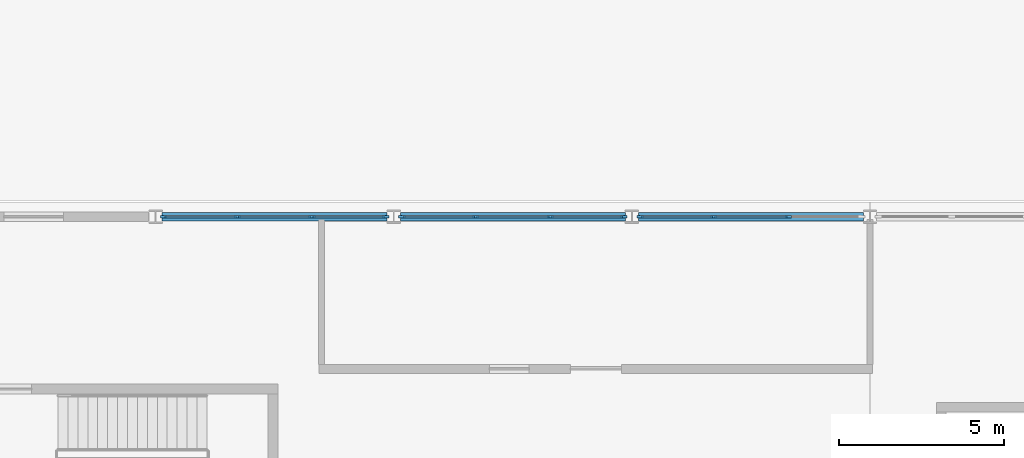
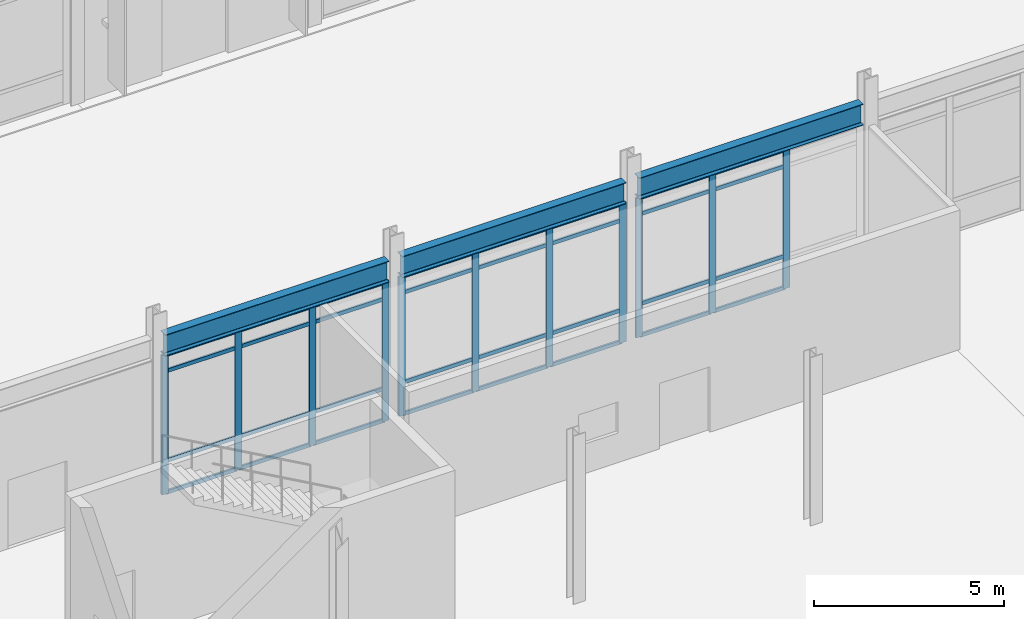
# One storey, part 23 of 104: 43 members, 3 beams, 3 elements without a shape of their own.
"""IFC4 building model written with IfcOpenShell, lengths in metres."""

from ifc_helpers import new_model, si_unit, direction, frame, origin, origin_2d, place, context, subcontext, project, spatial, rectangle, i_section, extrude, material, material_profile, profile_set, type_object, element, aggregate, save


model = new_model("IFC4")

# Units and contexts
model_context = context("Model", 3, precision=1e-05, world=origin(), true_north=direction((0.0, 1.0)))
body_context = subcontext(model_context, "Body", "Model", "MODEL_VIEW")
ifc_project = project(units=[si_unit("LENGTHUNIT", "METRE"), si_unit("AREAUNIT", "SQUARE_METRE"), si_unit("VOLUMEUNIT", "CUBIC_METRE"), si_unit("PLANEANGLEUNIT", "RADIAN"), si_unit("MASSUNIT", "GRAM", prefix="KILO")], contexts=[model_context])

# Site, building, storey
site_placement = place(None, origin())
site = spatial("IfcSite", under=ifc_project, at=site_placement, CompositionType="ELEMENT")
building_placement = place(site_placement, origin())
building = spatial("IfcBuilding", under=site, at=building_placement, Name="Vaelcorin Mobility Hub", CompositionType="ELEMENT")
storey_placement = place(building_placement, origin())
storey = spatial("IfcBuildingStorey", under=building, at=storey_placement, Name="L00", CompositionType="ELEMENT", Elevation=0.0)

# Beams
ifc_material_1 = material(Name="Steel ASTM A992 Grade 50", Category="steel")
ifc_material_profile_1 = material_profile(ifc_material_1, i_section(OverallWidth=0.25390625, OverallDepth=0.68310546875, WebThickness=0.012451171875, FlangeThickness=0.018798828125, FilletRadius=0.01611328125, at=origin_2d()), Name="W27X94")
ifc_profile_set_1 = profile_set([ifc_material_profile_1], Name="Steel ASTM A992 Grade 50")
beam_type = type_object("IfcBeamType", Name="BM-W27X94", PredefinedType="BEAM", material=ifc_profile_set_1)
beam_placement = place(storey_placement, frame((50.60009765625, 60.0, 4.837890625), z_axis=(1.0, 0.0, 0.0), x_axis=(0.0, 1.0, 0.0)))
element("IfcBeam", 1, at=beam_placement, inside=storey, type_object=beam_type, Name="L00 Beam V1-L00-GX-02-03", PredefinedType="BEAM", context=body_context, shape_type="SweptSolid", body=[
    extrude(i_section(OverallWidth=0.25390625, OverallDepth=0.68310546875, WebThickness=0.012451171875, FlangeThickness=0.018798828125, FilletRadius=0.01611328125, at=origin_2d()), origin(), (0.0, 0.0, 1.0), 6.7998046875),
])
for number, where, z_axis, x_axis, name in (
    (2, (57.800048828125, 60.0, 4.837890625), (1.0, 0.0, 0.0), (0.0, 1.0, 0.0), "L00 Beam V1-L00-GX-02-04"),
    (3, (65.0, 60.0, 4.837890625), (1.0, 0.0, 0.0), (0.0, 1.0, 0.0), "L00 Beam V1-L00-GX-02-05"),
):
    element("IfcBeam", number, at=place(storey_placement, frame(where, z_axis=z_axis, x_axis=x_axis)), inside=storey, type_object=beam_type, Name=name, PredefinedType="BEAM", context=body_context, shape_type="SweptSolid", body=[
        extrude(i_section(OverallWidth=0.25390625, OverallDepth=0.68310546875, WebThickness=0.012451171875, FlangeThickness=0.018798828125, FilletRadius=0.01611328125, at=origin_2d()), origin(), (0.0, 0.0, 1.0), 6.800048828125),
    ])

# Curtain wall, members
ifc_material_2 = material(Name="Anodised aluminium 6063-T6", Category="aluminium")
curtain_wall_type = type_object("IfcCurtainWallType", Name="CW-CONC-B", PredefinedType="NOTDEFINED", material=ifc_material_2)
curtain_wall_1_placement = place(storey_placement, origin())
curtain_wall_1 = element("IfcCurtainWall", 4, at=curtain_wall_1_placement, inside=storey, type_object=curtain_wall_type, Name="L00 Curtain Wall CW-V1-N-03", PredefinedType="NOTDEFINED")
ifc_material_profile_2 = material_profile(ifc_material_2, rectangle(XDim=0.070068359375, YDim=0.199951171875, at=origin_2d()), Name="ALU-M70X200")
ifc_profile_set_2 = profile_set([ifc_material_profile_2], Name="Anodised aluminium 6063-T6")
member_type_1 = type_object("IfcMemberType", Name="CW-MULL-200", PredefinedType="MULLION", material=ifc_profile_set_2)
member_1_placement = place(storey_placement, frame((50.64990234375, 60.0, 0.0), z_axis=(0.0, 0.0, 1.0), x_axis=(0.0, 1.0, 0.0)))
member_1 = element("IfcMember", 5, at=member_1_placement, type_object=member_type_1, Name="CW2 mullion 1", PredefinedType="MULLION", context=body_context, shape_type="SweptSolid", body=[
    extrude(rectangle(XDim=0.070068359375, YDim=0.199951171875, at=origin_2d()), origin(), (0.0, 0.0, 1.0), 4.48193359375),
])
member_2_placement = place(storey_placement, frame((52.873291015625, 60.0, 0.0), z_axis=(0.0, 0.0, 1.0), x_axis=(0.0, 1.0, 0.0)))
member_2 = element("IfcMember", 6, at=member_2_placement, type_object=member_type_1, Name="CW2 mullion 2", PredefinedType="MULLION", context=body_context, shape_type="SweptSolid", body=[
    extrude(rectangle(XDim=0.070068359375, YDim=0.199951171875, at=origin_2d()), origin(), (0.0, 0.0, 1.0), 4.48193359375),
])
member_3_placement = place(storey_placement, frame((55.126708984375, 60.0, 0.0), z_axis=(0.0, 0.0, 1.0), x_axis=(0.0, 1.0, 0.0)))
member_3 = element("IfcMember", 7, at=member_3_placement, type_object=member_type_1, Name="CW2 mullion 3", PredefinedType="MULLION", context=body_context, shape_type="SweptSolid", body=[
    extrude(rectangle(XDim=0.070068359375, YDim=0.199951171875, at=origin_2d()), origin(), (0.0, 0.0, 1.0), 4.48193359375),
])
member_4_placement = place(storey_placement, frame((57.35009765625, 60.0, 0.0), z_axis=(0.0, 0.0, 1.0), x_axis=(0.0, 1.0, 0.0)))
member_4 = element("IfcMember", 8, at=member_4_placement, type_object=member_type_1, Name="CW2 mullion 4", PredefinedType="MULLION", context=body_context, shape_type="SweptSolid", body=[
    extrude(rectangle(XDim=0.070068359375, YDim=0.199951171875, at=origin_2d()), origin(), (0.0, 0.0, 1.0), 4.48193359375),
])

curtain_wall_2_placement = place(storey_placement, origin())
curtain_wall_2 = element("IfcCurtainWall", 9, at=curtain_wall_2_placement, inside=storey, type_object=curtain_wall_type, Name="L00 Curtain Wall CW-V1-N-04", PredefinedType="NOTDEFINED")
member_5_placement = place(storey_placement, frame((57.85009765625, 60.0, 0.0), z_axis=(0.0, 0.0, 1.0), x_axis=(0.0, 1.0, 0.0)))
member_5 = element("IfcMember", 10, at=member_5_placement, type_object=member_type_1, Name="CW2 mullion 1", PredefinedType="MULLION", context=body_context, shape_type="SweptSolid", body=[
    extrude(rectangle(XDim=0.070068359375, YDim=0.199951171875, at=origin_2d()), origin(), (0.0, 0.0, 1.0), 4.48193359375),
])
member_6_placement = place(storey_placement, frame((60.0732421875, 60.0, 0.0), z_axis=(0.0, 0.0, 1.0), x_axis=(0.0, 1.0, 0.0)))
member_6 = element("IfcMember", 11, at=member_6_placement, type_object=member_type_1, Name="CW2 mullion 2", PredefinedType="MULLION", context=body_context, shape_type="SweptSolid", body=[
    extrude(rectangle(XDim=0.070068359375, YDim=0.199951171875, at=origin_2d()), origin(), (0.0, 0.0, 1.0), 4.48193359375),
])
member_7_placement = place(storey_placement, frame((62.32666015625, 60.0, 0.0), z_axis=(0.0, 0.0, 1.0), x_axis=(0.0, 1.0, 0.0)))
member_7 = element("IfcMember", 12, at=member_7_placement, type_object=member_type_1, Name="CW2 mullion 3", PredefinedType="MULLION", context=body_context, shape_type="SweptSolid", body=[
    extrude(rectangle(XDim=0.070068359375, YDim=0.199951171875, at=origin_2d()), origin(), (0.0, 0.0, 1.0), 4.48193359375),
])
member_8_placement = place(storey_placement, frame((64.550048828125, 60.0, 0.0), z_axis=(0.0, 0.0, 1.0), x_axis=(0.0, 1.0, 0.0)))
member_8 = element("IfcMember", 13, at=member_8_placement, type_object=member_type_1, Name="CW2 mullion 4", PredefinedType="MULLION", context=body_context, shape_type="SweptSolid", body=[
    extrude(rectangle(XDim=0.070068359375, YDim=0.199951171875, at=origin_2d()), origin(), (0.0, 0.0, 1.0), 4.48193359375),
])

curtain_wall_3_placement = place(storey_placement, origin())
curtain_wall_3 = element("IfcCurtainWall", 14, at=curtain_wall_3_placement, inside=storey, type_object=curtain_wall_type, Name="L00 Curtain Wall CW-V1-N-05", PredefinedType="NOTDEFINED")
member_9_placement = place(storey_placement, frame((65.050048828125, 60.0, 0.0), z_axis=(0.0, 0.0, 1.0), x_axis=(0.0, 1.0, 0.0)))
member_9 = element("IfcMember", 15, at=member_9_placement, type_object=member_type_1, Name="CW2 mullion 1", PredefinedType="MULLION", context=body_context, shape_type="SweptSolid", body=[
    extrude(rectangle(XDim=0.070068359375, YDim=0.199951171875, at=origin_2d()), origin(), (0.0, 0.0, 1.0), 4.48193359375),
])
member_10_placement = place(storey_placement, frame((67.2734375, 60.0, 0.0), z_axis=(0.0, 0.0, 1.0), x_axis=(0.0, 1.0, 0.0)))
member_10 = element("IfcMember", 16, at=member_10_placement, type_object=member_type_1, Name="CW2 mullion 2", PredefinedType="MULLION", context=body_context, shape_type="SweptSolid", body=[
    extrude(rectangle(XDim=0.070068359375, YDim=0.199951171875, at=origin_2d()), origin(), (0.0, 0.0, 1.0), 4.48193359375),
])
member_11_placement = place(storey_placement, frame((69.526611328125, 60.0, 0.0), z_axis=(0.0, 0.0, 1.0), x_axis=(0.0, 1.0, 0.0)))
member_11 = element("IfcMember", 17, at=member_11_placement, type_object=member_type_1, Name="CW2 mullion 3", PredefinedType="MULLION", context=body_context, shape_type="SweptSolid", body=[
    extrude(rectangle(XDim=0.070068359375, YDim=0.199951171875, at=origin_2d()), origin(), (0.0, 0.0, 1.0), 4.48193359375),
])

# Member
ifc_material_profile_3 = material_profile(ifc_material_2, rectangle(XDim=0.06005859375, YDim=0.1201171875, at=origin_2d()), Name="ALU-T60X120")
ifc_profile_set_3 = profile_set([ifc_material_profile_3], Name="Anodised aluminium 6063-T6")
member_type_2 = type_object("IfcMemberType", Name="CW-TRAN-140", PredefinedType="USERDEFINED", material=ifc_profile_set_3)
member_12_placement = place(storey_placement, frame((50.679931640625, 60.0, 0.030029296875), z_axis=(1.0, 0.0, 0.0), x_axis=(0.0, 1.0, 0.0)))
member_12 = element("IfcMember", 18, at=member_12_placement, type_object=member_type_2, Name="CW2 transom 1.1", ObjectType="TRANSOM", PredefinedType="USERDEFINED", context=body_context, shape_type="SweptSolid", body=[
    extrude(rectangle(XDim=0.06005859375, YDim=0.1201171875, at=origin_2d()), origin(), (0.0, 0.0, 1.0), 2.163330078125),
])

member_13_placement = place(storey_placement, frame((50.679931640625, 60.0, 1.050048828125), z_axis=(1.0, 0.0, 0.0), x_axis=(0.0, 1.0, 0.0)))
member_13 = element("IfcMember", 19, at=member_13_placement, type_object=member_type_2, Name="CW2 transom 1.2", ObjectType="TRANSOM", PredefinedType="USERDEFINED", context=body_context, shape_type="SweptSolid", body=[
    extrude(rectangle(XDim=0.06005859375, YDim=0.1201171875, at=origin_2d()), origin(), (0.0, 0.0, 1.0), 2.163330078125),
])

member_14_placement = place(storey_placement, frame((50.679931640625, 60.0, 3.931884765625), z_axis=(1.0, 0.0, 0.0), x_axis=(0.0, 1.0, 0.0)))
member_14 = element("IfcMember", 20, at=member_14_placement, type_object=member_type_2, Name="CW2 transom 1.3", ObjectType="TRANSOM", PredefinedType="USERDEFINED", context=body_context, shape_type="SweptSolid", body=[
    extrude(rectangle(XDim=0.06005859375, YDim=0.1201171875, at=origin_2d()), origin(), (0.0, 0.0, 1.0), 2.163330078125),
])

member_15_placement = place(storey_placement, frame((50.679931640625, 60.0, 4.451904296875), z_axis=(1.0, 0.0, 0.0), x_axis=(0.0, 1.0, 0.0)))
member_15 = element("IfcMember", 21, at=member_15_placement, type_object=member_type_2, Name="CW2 transom 1.4", ObjectType="TRANSOM", PredefinedType="USERDEFINED", context=body_context, shape_type="SweptSolid", body=[
    extrude(rectangle(XDim=0.06005859375, YDim=0.1201171875, at=origin_2d()), origin(), (0.0, 0.0, 1.0), 2.163330078125),
])

member_16_placement = place(storey_placement, frame((52.9033203125, 60.0, 0.030029296875), z_axis=(1.0, 0.0, 0.0), x_axis=(0.0, 1.0, 0.0)))
member_16 = element("IfcMember", 22, at=member_16_placement, type_object=member_type_2, Name="CW2 transom 2.1", ObjectType="TRANSOM", PredefinedType="USERDEFINED", context=body_context, shape_type="SweptSolid", body=[
    extrude(rectangle(XDim=0.06005859375, YDim=0.1201171875, at=origin_2d()), origin(), (0.0, 0.0, 1.0), 2.193359375),
])

member_17_placement = place(storey_placement, frame((52.9033203125, 60.0, 1.050048828125), z_axis=(1.0, 0.0, 0.0), x_axis=(0.0, 1.0, 0.0)))
member_17 = element("IfcMember", 23, at=member_17_placement, type_object=member_type_2, Name="CW2 transom 2.2", ObjectType="TRANSOM", PredefinedType="USERDEFINED", context=body_context, shape_type="SweptSolid", body=[
    extrude(rectangle(XDim=0.06005859375, YDim=0.1201171875, at=origin_2d()), origin(), (0.0, 0.0, 1.0), 2.193359375),
])

member_18_placement = place(storey_placement, frame((52.9033203125, 60.0, 3.931884765625), z_axis=(1.0, 0.0, 0.0), x_axis=(0.0, 1.0, 0.0)))
member_18 = element("IfcMember", 24, at=member_18_placement, type_object=member_type_2, Name="CW2 transom 2.3", ObjectType="TRANSOM", PredefinedType="USERDEFINED", context=body_context, shape_type="SweptSolid", body=[
    extrude(rectangle(XDim=0.06005859375, YDim=0.1201171875, at=origin_2d()), origin(), (0.0, 0.0, 1.0), 2.193359375),
])

member_19_placement = place(storey_placement, frame((52.9033203125, 60.0, 4.451904296875), z_axis=(1.0, 0.0, 0.0), x_axis=(0.0, 1.0, 0.0)))
member_19 = element("IfcMember", 25, at=member_19_placement, type_object=member_type_2, Name="CW2 transom 2.4", ObjectType="TRANSOM", PredefinedType="USERDEFINED", context=body_context, shape_type="SweptSolid", body=[
    extrude(rectangle(XDim=0.06005859375, YDim=0.1201171875, at=origin_2d()), origin(), (0.0, 0.0, 1.0), 2.193359375),
])

member_20_placement = place(storey_placement, frame((55.15673828125, 60.0, 0.030029296875), z_axis=(1.0, 0.0, 0.0), x_axis=(0.0, 1.0, 0.0)))
member_20 = element("IfcMember", 26, at=member_20_placement, type_object=member_type_2, Name="CW2 transom 3.1", ObjectType="TRANSOM", PredefinedType="USERDEFINED", context=body_context, shape_type="SweptSolid", body=[
    extrude(rectangle(XDim=0.06005859375, YDim=0.1201171875, at=origin_2d()), origin(), (0.0, 0.0, 1.0), 2.163330078125),
])

member_21_placement = place(storey_placement, frame((55.15673828125, 60.0, 1.050048828125), z_axis=(1.0, 0.0, 0.0), x_axis=(0.0, 1.0, 0.0)))
member_21 = element("IfcMember", 27, at=member_21_placement, type_object=member_type_2, Name="CW2 transom 3.2", ObjectType="TRANSOM", PredefinedType="USERDEFINED", context=body_context, shape_type="SweptSolid", body=[
    extrude(rectangle(XDim=0.06005859375, YDim=0.1201171875, at=origin_2d()), origin(), (0.0, 0.0, 1.0), 2.163330078125),
])

member_22_placement = place(storey_placement, frame((55.15673828125, 60.0, 3.931884765625), z_axis=(1.0, 0.0, 0.0), x_axis=(0.0, 1.0, 0.0)))
member_22 = element("IfcMember", 28, at=member_22_placement, type_object=member_type_2, Name="CW2 transom 3.3", ObjectType="TRANSOM", PredefinedType="USERDEFINED", context=body_context, shape_type="SweptSolid", body=[
    extrude(rectangle(XDim=0.06005859375, YDim=0.1201171875, at=origin_2d()), origin(), (0.0, 0.0, 1.0), 2.163330078125),
])

member_23_placement = place(storey_placement, frame((55.15673828125, 60.0, 4.451904296875), z_axis=(1.0, 0.0, 0.0), x_axis=(0.0, 1.0, 0.0)))
member_23 = element("IfcMember", 29, at=member_23_placement, type_object=member_type_2, Name="CW2 transom 3.4", ObjectType="TRANSOM", PredefinedType="USERDEFINED", context=body_context, shape_type="SweptSolid", body=[
    extrude(rectangle(XDim=0.06005859375, YDim=0.1201171875, at=origin_2d()), origin(), (0.0, 0.0, 1.0), 2.163330078125),
])

aggregate(curtain_wall_1, [member_1, member_2, member_3, member_4, member_12, member_13, member_14, member_15, member_16, member_17, member_18, member_19, member_20, member_21, member_22, member_23])

member_24_placement = place(storey_placement, frame((57.8798828125, 60.0, 0.030029296875), z_axis=(1.0, 0.0, 0.0), x_axis=(0.0, 1.0, 0.0)))
member_24 = element("IfcMember", 30, at=member_24_placement, type_object=member_type_2, Name="CW2 transom 1.1", ObjectType="TRANSOM", PredefinedType="USERDEFINED", context=body_context, shape_type="SweptSolid", body=[
    extrude(rectangle(XDim=0.06005859375, YDim=0.1201171875, at=origin_2d()), origin(), (0.0, 0.0, 1.0), 2.163330078125),
])

member_25_placement = place(storey_placement, frame((57.8798828125, 60.0, 1.050048828125), z_axis=(1.0, 0.0, 0.0), x_axis=(0.0, 1.0, 0.0)))
member_25 = element("IfcMember", 31, at=member_25_placement, type_object=member_type_2, Name="CW2 transom 1.2", ObjectType="TRANSOM", PredefinedType="USERDEFINED", context=body_context, shape_type="SweptSolid", body=[
    extrude(rectangle(XDim=0.06005859375, YDim=0.1201171875, at=origin_2d()), origin(), (0.0, 0.0, 1.0), 2.163330078125),
])

member_26_placement = place(storey_placement, frame((57.8798828125, 60.0, 3.931884765625), z_axis=(1.0, 0.0, 0.0), x_axis=(0.0, 1.0, 0.0)))
member_26 = element("IfcMember", 32, at=member_26_placement, type_object=member_type_2, Name="CW2 transom 1.3", ObjectType="TRANSOM", PredefinedType="USERDEFINED", context=body_context, shape_type="SweptSolid", body=[
    extrude(rectangle(XDim=0.06005859375, YDim=0.1201171875, at=origin_2d()), origin(), (0.0, 0.0, 1.0), 2.163330078125),
])

member_27_placement = place(storey_placement, frame((57.8798828125, 60.0, 4.451904296875), z_axis=(1.0, 0.0, 0.0), x_axis=(0.0, 1.0, 0.0)))
member_27 = element("IfcMember", 33, at=member_27_placement, type_object=member_type_2, Name="CW2 transom 1.4", ObjectType="TRANSOM", PredefinedType="USERDEFINED", context=body_context, shape_type="SweptSolid", body=[
    extrude(rectangle(XDim=0.06005859375, YDim=0.1201171875, at=origin_2d()), origin(), (0.0, 0.0, 1.0), 2.163330078125),
])

member_28_placement = place(storey_placement, frame((60.103271484375, 60.0, 0.030029296875), z_axis=(1.0, 0.0, 0.0), x_axis=(0.0, 1.0, 0.0)))
member_28 = element("IfcMember", 34, at=member_28_placement, type_object=member_type_2, Name="CW2 transom 2.1", ObjectType="TRANSOM", PredefinedType="USERDEFINED", context=body_context, shape_type="SweptSolid", body=[
    extrude(rectangle(XDim=0.06005859375, YDim=0.1201171875, at=origin_2d()), origin(), (0.0, 0.0, 1.0), 2.193359375),
])

member_29_placement = place(storey_placement, frame((60.103271484375, 60.0, 1.050048828125), z_axis=(1.0, 0.0, 0.0), x_axis=(0.0, 1.0, 0.0)))
member_29 = element("IfcMember", 35, at=member_29_placement, type_object=member_type_2, Name="CW2 transom 2.2", ObjectType="TRANSOM", PredefinedType="USERDEFINED", context=body_context, shape_type="SweptSolid", body=[
    extrude(rectangle(XDim=0.06005859375, YDim=0.1201171875, at=origin_2d()), origin(), (0.0, 0.0, 1.0), 2.193359375),
])

member_30_placement = place(storey_placement, frame((60.103271484375, 60.0, 3.931884765625), z_axis=(1.0, 0.0, 0.0), x_axis=(0.0, 1.0, 0.0)))
member_30 = element("IfcMember", 36, at=member_30_placement, type_object=member_type_2, Name="CW2 transom 2.3", ObjectType="TRANSOM", PredefinedType="USERDEFINED", context=body_context, shape_type="SweptSolid", body=[
    extrude(rectangle(XDim=0.06005859375, YDim=0.1201171875, at=origin_2d()), origin(), (0.0, 0.0, 1.0), 2.193359375),
])

member_31_placement = place(storey_placement, frame((60.103271484375, 60.0, 4.451904296875), z_axis=(1.0, 0.0, 0.0), x_axis=(0.0, 1.0, 0.0)))
member_31 = element("IfcMember", 37, at=member_31_placement, type_object=member_type_2, Name="CW2 transom 2.4", ObjectType="TRANSOM", PredefinedType="USERDEFINED", context=body_context, shape_type="SweptSolid", body=[
    extrude(rectangle(XDim=0.06005859375, YDim=0.1201171875, at=origin_2d()), origin(), (0.0, 0.0, 1.0), 2.193359375),
])

member_32_placement = place(storey_placement, frame((62.356689453125, 60.0, 0.030029296875), z_axis=(1.0, 0.0, 0.0), x_axis=(0.0, 1.0, 0.0)))
member_32 = element("IfcMember", 38, at=member_32_placement, type_object=member_type_2, Name="CW2 transom 3.1", ObjectType="TRANSOM", PredefinedType="USERDEFINED", context=body_context, shape_type="SweptSolid", body=[
    extrude(rectangle(XDim=0.06005859375, YDim=0.1201171875, at=origin_2d()), origin(), (0.0, 0.0, 1.0), 2.163330078125),
])

member_33_placement = place(storey_placement, frame((62.356689453125, 60.0, 1.050048828125), z_axis=(1.0, 0.0, 0.0), x_axis=(0.0, 1.0, 0.0)))
member_33 = element("IfcMember", 39, at=member_33_placement, type_object=member_type_2, Name="CW2 transom 3.2", ObjectType="TRANSOM", PredefinedType="USERDEFINED", context=body_context, shape_type="SweptSolid", body=[
    extrude(rectangle(XDim=0.06005859375, YDim=0.1201171875, at=origin_2d()), origin(), (0.0, 0.0, 1.0), 2.163330078125),
])

member_34_placement = place(storey_placement, frame((62.356689453125, 60.0, 3.931884765625), z_axis=(1.0, 0.0, 0.0), x_axis=(0.0, 1.0, 0.0)))
member_34 = element("IfcMember", 40, at=member_34_placement, type_object=member_type_2, Name="CW2 transom 3.3", ObjectType="TRANSOM", PredefinedType="USERDEFINED", context=body_context, shape_type="SweptSolid", body=[
    extrude(rectangle(XDim=0.06005859375, YDim=0.1201171875, at=origin_2d()), origin(), (0.0, 0.0, 1.0), 2.163330078125),
])

member_35_placement = place(storey_placement, frame((62.356689453125, 60.0, 4.451904296875), z_axis=(1.0, 0.0, 0.0), x_axis=(0.0, 1.0, 0.0)))
member_35 = element("IfcMember", 41, at=member_35_placement, type_object=member_type_2, Name="CW2 transom 3.4", ObjectType="TRANSOM", PredefinedType="USERDEFINED", context=body_context, shape_type="SweptSolid", body=[
    extrude(rectangle(XDim=0.06005859375, YDim=0.1201171875, at=origin_2d()), origin(), (0.0, 0.0, 1.0), 2.163330078125),
])

aggregate(curtain_wall_2, [member_5, member_6, member_7, member_8, member_24, member_25, member_26, member_27, member_28, member_29, member_30, member_31, member_32, member_33, member_34, member_35])

member_36_placement = place(storey_placement, frame((65.080078125, 60.0, 0.030029296875), z_axis=(1.0, 0.0, 0.0), x_axis=(0.0, 1.0, 0.0)))
member_36 = element("IfcMember", 42, at=member_36_placement, type_object=member_type_2, Name="CW2 transom 1.1", ObjectType="TRANSOM", PredefinedType="USERDEFINED", context=body_context, shape_type="SweptSolid", body=[
    extrude(rectangle(XDim=0.06005859375, YDim=0.1201171875, at=origin_2d()), origin(), (0.0, 0.0, 1.0), 2.163330078125),
])

member_37_placement = place(storey_placement, frame((65.080078125, 60.0, 1.050048828125), z_axis=(1.0, 0.0, 0.0), x_axis=(0.0, 1.0, 0.0)))
member_37 = element("IfcMember", 43, at=member_37_placement, type_object=member_type_2, Name="CW2 transom 1.2", ObjectType="TRANSOM", PredefinedType="USERDEFINED", context=body_context, shape_type="SweptSolid", body=[
    extrude(rectangle(XDim=0.06005859375, YDim=0.1201171875, at=origin_2d()), origin(), (0.0, 0.0, 1.0), 2.163330078125),
])

member_38_placement = place(storey_placement, frame((65.080078125, 60.0, 3.931884765625), z_axis=(1.0, 0.0, 0.0), x_axis=(0.0, 1.0, 0.0)))
member_38 = element("IfcMember", 44, at=member_38_placement, type_object=member_type_2, Name="CW2 transom 1.3", ObjectType="TRANSOM", PredefinedType="USERDEFINED", context=body_context, shape_type="SweptSolid", body=[
    extrude(rectangle(XDim=0.06005859375, YDim=0.1201171875, at=origin_2d()), origin(), (0.0, 0.0, 1.0), 2.163330078125),
])

member_39_placement = place(storey_placement, frame((65.080078125, 60.0, 4.451904296875), z_axis=(1.0, 0.0, 0.0), x_axis=(0.0, 1.0, 0.0)))
member_39 = element("IfcMember", 45, at=member_39_placement, type_object=member_type_2, Name="CW2 transom 1.4", ObjectType="TRANSOM", PredefinedType="USERDEFINED", context=body_context, shape_type="SweptSolid", body=[
    extrude(rectangle(XDim=0.06005859375, YDim=0.1201171875, at=origin_2d()), origin(), (0.0, 0.0, 1.0), 2.163330078125),
])

member_40_placement = place(storey_placement, frame((67.30322265625, 60.0, 0.030029296875), z_axis=(1.0, 0.0, 0.0), x_axis=(0.0, 1.0, 0.0)))
member_40 = element("IfcMember", 46, at=member_40_placement, type_object=member_type_2, Name="CW2 transom 2.1", ObjectType="TRANSOM", PredefinedType="USERDEFINED", context=body_context, shape_type="SweptSolid", body=[
    extrude(rectangle(XDim=0.06005859375, YDim=0.1201171875, at=origin_2d()), origin(), (0.0, 0.0, 1.0), 2.193359375),
])

member_41_placement = place(storey_placement, frame((67.30322265625, 60.0, 1.050048828125), z_axis=(1.0, 0.0, 0.0), x_axis=(0.0, 1.0, 0.0)))
member_41 = element("IfcMember", 47, at=member_41_placement, type_object=member_type_2, Name="CW2 transom 2.2", ObjectType="TRANSOM", PredefinedType="USERDEFINED", context=body_context, shape_type="SweptSolid", body=[
    extrude(rectangle(XDim=0.06005859375, YDim=0.1201171875, at=origin_2d()), origin(), (0.0, 0.0, 1.0), 2.193359375),
])

member_42_placement = place(storey_placement, frame((67.30322265625, 60.0, 3.931884765625), z_axis=(1.0, 0.0, 0.0), x_axis=(0.0, 1.0, 0.0)))
member_42 = element("IfcMember", 48, at=member_42_placement, type_object=member_type_2, Name="CW2 transom 2.3", ObjectType="TRANSOM", PredefinedType="USERDEFINED", context=body_context, shape_type="SweptSolid", body=[
    extrude(rectangle(XDim=0.06005859375, YDim=0.1201171875, at=origin_2d()), origin(), (0.0, 0.0, 1.0), 2.193359375),
])

member_43_placement = place(storey_placement, frame((67.30322265625, 60.0, 4.451904296875), z_axis=(1.0, 0.0, 0.0), x_axis=(0.0, 1.0, 0.0)))
member_43 = element("IfcMember", 49, at=member_43_placement, type_object=member_type_2, Name="CW2 transom 2.4", ObjectType="TRANSOM", PredefinedType="USERDEFINED", context=body_context, shape_type="SweptSolid", body=[
    extrude(rectangle(XDim=0.06005859375, YDim=0.1201171875, at=origin_2d()), origin(), (0.0, 0.0, 1.0), 2.193359375),
])

aggregate(curtain_wall_3, [member_9, member_10, member_11, member_36, member_37, member_38, member_39, member_40, member_41, member_42, member_43])

save(model, "model.ifc")
